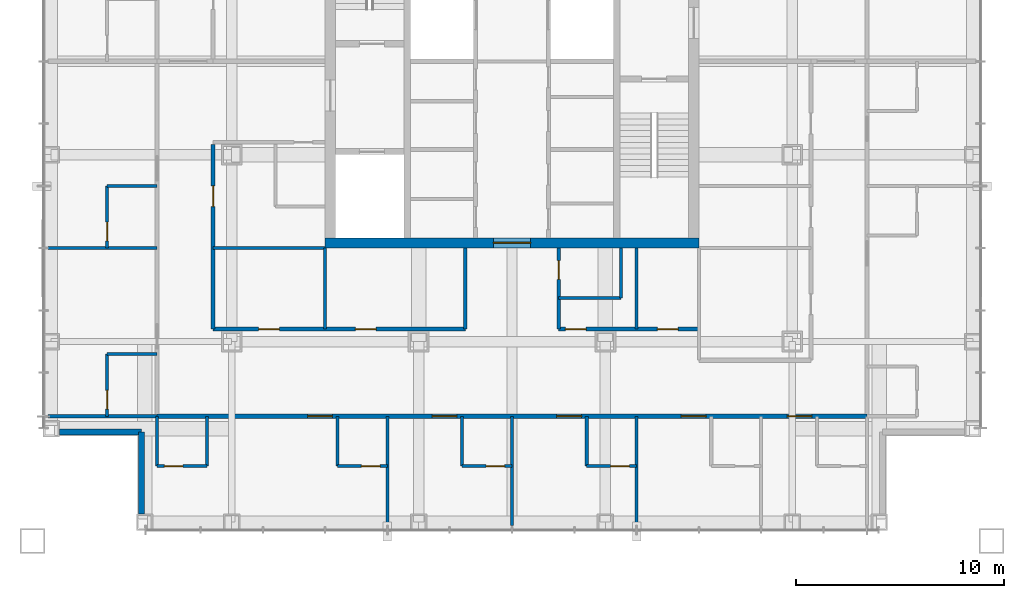
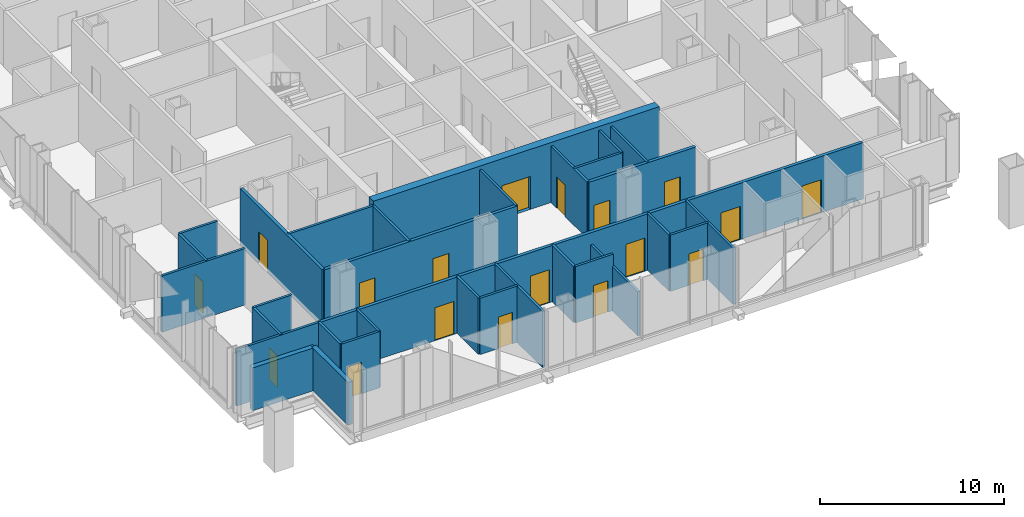
# One storey, part 11 of 16: 32 walls, 18 doors, 18 openings.
"""IFC4 building model written with IfcOpenShell, lengths in metres."""

from ifc_helpers import new_model, si_unit, direction, frame, frame_2d, origin, place, context, subcontext, project, spatial, rectangle, extrude, material, layer, layer_set, type_object, element, fill, save


model = new_model("IFC4")

# Units and contexts
model_context = context("Model", 3, precision=1e-05, world=origin(), true_north=direction((0.0, 1.0)))
body_context = subcontext(model_context, "Body", "Model", "MODEL_VIEW")
ifc_project = project(units=[si_unit("LENGTHUNIT", "METRE"), si_unit("AREAUNIT", "SQUARE_METRE"), si_unit("VOLUMEUNIT", "CUBIC_METRE"), si_unit("PLANEANGLEUNIT", "RADIAN"), si_unit("MASSUNIT", "GRAM", prefix="KILO")], contexts=[model_context])

# Site, building, storey
site_placement = place(None, origin())
site = spatial("IfcSite", under=ifc_project, at=site_placement, CompositionType="ELEMENT")
building_placement = place(site_placement, origin())
building = spatial("IfcBuilding", under=site, at=building_placement, Name="Malebo Sky Hospital", CompositionType="ELEMENT")
storey_placement = place(building_placement, frame((0.0, 0.0, 197.0)))
storey = spatial("IfcBuildingStorey", under=building, at=storey_placement, Name="L47", CompositionType="ELEMENT", Elevation=197.0)

# Wall, opening, door
ifc_material_1 = material(Name="Concrete C80/95", Category="concrete")
ifc_layer_1 = layer(ifc_material_1, 0.5)
ifc_layer_set_1 = layer_set([ifc_layer_1], Name="CORE WALL 500")
wall_type_1 = type_object("IfcWallType", Name="CORE WALL 500", PredefinedType="SHEAR", material=ifc_layer_set_1)
wall_1_placement = place(storey_placement, frame((51.0, 53.25, 0.0), z_axis=(0.0, 0.0, 1.0), x_axis=(1.0, 0.0, 0.0)))
wall_1 = element("IfcWall", 1, at=wall_1_placement, inside=storey, type_object=wall_type_1, Name="Core wall S L47", PredefinedType="SHEAR", context=body_context, shape_type="SweptSolid", body=[
    extrude(rectangle(XDim=18.0, YDim=0.5, at=frame_2d((9.0, 0.0))), origin(), (0.0, 0.0, 1.0), 4.0),
])
opening_1_placement = place(wall_1_placement, frame((8.10009765625, 0.0, 0.0)))
opening_1 = element("IfcOpeningElement", 2, at=opening_1_placement, cuts=wall_1, Name="Opening D06", PredefinedType="OPENING", context=body_context, shape_type="SweptSolid", body=[
    extrude(rectangle(XDim=1.800048828125, YDim=2.199951171875, at=frame_2d((0.89990234375, 1.10009765625))), frame((0.0, 0.260009765625, 0.0), z_axis=(0.0, -1.0, 0.0), x_axis=(1.0, 0.0, 0.0)), (0.0, 0.0, 1.0), 0.52001953125),
])
ifc_material_2 = material(Name="Hardwood-faced door leaf in steel frame", Category="steel")
door_type_1 = type_object("IfcDoorType", Name="LOBBY DOOR PAIR 1800", OperationType="DOUBLE_DOOR_SINGLE_SWING", PredefinedType="DOOR", material=ifc_material_2)
door_1_placement = place(opening_1_placement, origin())
door_1 = element("IfcDoor", 3, at=door_1_placement, inside=storey, type_object=door_type_1, Name="Service lobby door south", OperationType="DOUBLE_DOOR_SINGLE_SWING", OverallHeight=2.199951171875, OverallWidth=1.800048828125, PredefinedType="DOOR", context=body_context, shape_type="SweptSolid", body=[
    extrude(rectangle(XDim=1.800048828125, YDim=2.199951171875, at=frame_2d((0.89990234375, 1.10009765625))), frame((0.0, 0.02490234375, 0.0), z_axis=(0.0, -1.0, 0.0), x_axis=(1.0, 0.0, 0.0)), (0.0, 0.0, 1.0), 0.050048828125),
])
fill(opening_1, door_1)

ifc_material_3 = material(Name="Gypsum board on steel studs", Category="steel")
ifc_layer_2 = layer(ifc_material_3, 0.199951171875)
ifc_layer_set_2 = layer_set([ifc_layer_2], Name="CORRIDOR WALL 200")
wall_type_2 = type_object("IfcWallType", Name="CORRIDOR WALL 200", PredefinedType="PARTITIONING", material=ifc_layer_set_2)
wall_2_placement = place(storey_placement, frame((45.60009765625, 49.10009765625, 0.0), z_axis=(0.0, 0.0, 1.0), x_axis=(0.0, 1.0, 0.0)))
wall_2 = element("IfcWall", 4, at=wall_2_placement, inside=storey, type_object=wall_type_2, Name="Corridor Wall 200 WCI1", PredefinedType="PARTITIONING", context=body_context, shape_type="SweptSolid", body=[
    extrude(rectangle(XDim=8.89990234375, YDim=0.199951171875, at=frame_2d((4.449951171875, 0.0))), origin(), (0.0, 0.0, 1.0), 3.75),
])
opening_2_placement = place(wall_2_placement, frame((5.89990234375, 0.0, 0.0)))
opening_2 = element("IfcOpeningElement", 5, at=opening_2_placement, cuts=wall_2, Name="Opening D03", PredefinedType="OPENING", context=body_context, shape_type="SweptSolid", body=[
    extrude(rectangle(XDim=1.0, YDim=2.10009765625, at=frame_2d((0.5, 1.050048828125))), frame((0.0, 0.10986328125, 0.0), z_axis=(0.0, -1.0, 0.0), x_axis=(1.0, 0.0, 0.0)), (0.0, 0.0, 1.0), 0.219970703125),
])
door_type_2 = type_object("IfcDoorType", Name="ROOM DOOR 1000", OperationType="SINGLE_SWING_LEFT", PredefinedType="DOOR", material=ifc_material_2)
door_2_placement = place(opening_2_placement, origin())
door_2 = element("IfcDoor", 6, at=door_2_placement, inside=storey, type_object=door_type_2, Name="Dirty utility room door", OperationType="SINGLE_SWING_LEFT", OverallHeight=2.10009765625, OverallWidth=1.0, PredefinedType="DOOR", context=body_context, shape_type="SweptSolid", body=[
    extrude(rectangle(XDim=1.0, YDim=2.10009765625, at=frame_2d((0.5, 1.050048828125))), frame((0.0, 0.02490234375, 0.0), z_axis=(0.0, -1.0, 0.0), x_axis=(1.0, 0.0, 0.0)), (0.0, 0.0, 1.0), 0.050048828125),
])
fill(opening_2, door_2)

# Wall, openings, doors
wall_3_placement = place(storey_placement, frame((77.10009765625, 44.89990234375, 0.0), z_axis=(0.0, 0.0, 1.0), x_axis=(-1.0, 0.0, 0.0)))
wall_3 = element("IfcWall", 7, at=wall_3_placement, inside=storey, type_object=wall_type_2, Name="Corridor Wall 200 SCO", PredefinedType="PARTITIONING", context=body_context, shape_type="SweptSolid", body=[
    extrude(rectangle(XDim=34.2001953125, YDim=0.199951171875, at=frame_2d((17.10009765625, 0.0))), origin(), (0.0, 0.0, 1.0), 3.75),
])
opening_3_placement = place(wall_3_placement, frame((2.64990234375, 0.0, 0.0)))
opening_3 = element("IfcOpeningElement", 8, at=opening_3_placement, cuts=wall_3, Name="Opening D01", PredefinedType="OPENING", context=body_context, shape_type="SweptSolid", body=[
    extrude(rectangle(XDim=1.199951171875, YDim=2.199951171875, at=frame_2d((0.60009765625, 1.10009765625))), frame((0.0, 0.10986328125, 0.0), z_axis=(0.0, -1.0, 0.0), x_axis=(1.0, 0.0, 0.0)), (0.0, 0.0, 1.0), 0.219970703125),
])
opening_4_placement = place(wall_3_placement, frame((7.75, 0.0, 0.0)))
opening_4 = element("IfcOpeningElement", 9, at=opening_4_placement, cuts=wall_3, Name="Opening D01", PredefinedType="OPENING", context=body_context, shape_type="SweptSolid", body=[
    extrude(rectangle(XDim=1.199951171875, YDim=2.199951171875, at=frame_2d((0.60009765625, 1.10009765625))), frame((0.0, 0.10986328125, 0.0), z_axis=(0.0, -1.0, 0.0), x_axis=(1.0, 0.0, 0.0)), (0.0, 0.0, 1.0), 0.219970703125),
])
opening_5_placement = place(wall_3_placement, frame((13.75, 0.0, 0.0)))
opening_5 = element("IfcOpeningElement", 10, at=opening_5_placement, cuts=wall_3, Name="Opening D01", PredefinedType="OPENING", context=body_context, shape_type="SweptSolid", body=[
    extrude(rectangle(XDim=1.199951171875, YDim=2.199951171875, at=frame_2d((0.60009765625, 1.10009765625))), frame((0.0, 0.10986328125, 0.0), z_axis=(0.0, -1.0, 0.0), x_axis=(1.0, 0.0, 0.0)), (0.0, 0.0, 1.0), 0.219970703125),
])
opening_6_placement = place(wall_3_placement, frame((19.75, 0.0, 0.0)))
opening_6 = element("IfcOpeningElement", 11, at=opening_6_placement, cuts=wall_3, Name="Opening D01", PredefinedType="OPENING", context=body_context, shape_type="SweptSolid", body=[
    extrude(rectangle(XDim=1.199951171875, YDim=2.199951171875, at=frame_2d((0.60009765625, 1.10009765625))), frame((0.0, 0.10986328125, 0.0), z_axis=(0.0, -1.0, 0.0), x_axis=(1.0, 0.0, 0.0)), (0.0, 0.0, 1.0), 0.219970703125),
])
opening_7_placement = place(wall_3_placement, frame((25.75, 0.0, 0.0)))
opening_7 = element("IfcOpeningElement", 12, at=opening_7_placement, cuts=wall_3, Name="Opening D01", PredefinedType="OPENING", context=body_context, shape_type="SweptSolid", body=[
    extrude(rectangle(XDim=1.199951171875, YDim=2.199951171875, at=frame_2d((0.60009765625, 1.10009765625))), frame((0.0, 0.10986328125, 0.0), z_axis=(0.0, -1.0, 0.0), x_axis=(1.0, 0.0, 0.0)), (0.0, 0.0, 1.0), 0.219970703125),
])
door_type_3 = type_object("IfcDoorType", Name="BED DOOR 1200", OperationType="SINGLE_SWING_LEFT", PredefinedType="DOOR", material=ifc_material_2)
door_3_placement = place(opening_3_placement, origin())
door_3 = element("IfcDoor", 13, at=door_3_placement, inside=storey, type_object=door_type_3, Name="Single bed room door", OperationType="SINGLE_SWING_LEFT", OverallHeight=2.199951171875, OverallWidth=1.199951171875, PredefinedType="DOOR", context=body_context, shape_type="SweptSolid", body=[
    extrude(rectangle(XDim=1.199951171875, YDim=2.199951171875, at=frame_2d((0.60009765625, 1.10009765625))), frame((0.0, 0.02490234375, 0.0), z_axis=(0.0, -1.0, 0.0), x_axis=(1.0, 0.0, 0.0)), (0.0, 0.0, 1.0), 0.050048828125),
])
fill(opening_3, door_3)
door_4_placement = place(opening_4_placement, origin())
door_4 = element("IfcDoor", 14, at=door_4_placement, inside=storey, type_object=door_type_3, Name="Single bed room door", OperationType="SINGLE_SWING_LEFT", OverallHeight=2.199951171875, OverallWidth=1.199951171875, PredefinedType="DOOR", context=body_context, shape_type="SweptSolid", body=[
    extrude(rectangle(XDim=1.199951171875, YDim=2.199951171875, at=frame_2d((0.60009765625, 1.10009765625))), frame((0.0, 0.02490234375, 0.0), z_axis=(0.0, -1.0, 0.0), x_axis=(1.0, 0.0, 0.0)), (0.0, 0.0, 1.0), 0.050048828125),
])
fill(opening_4, door_4)
door_5_placement = place(opening_5_placement, origin())
door_5 = element("IfcDoor", 15, at=door_5_placement, inside=storey, type_object=door_type_3, Name="Single bed room door", OperationType="SINGLE_SWING_LEFT", OverallHeight=2.199951171875, OverallWidth=1.199951171875, PredefinedType="DOOR", context=body_context, shape_type="SweptSolid", body=[
    extrude(rectangle(XDim=1.199951171875, YDim=2.199951171875, at=frame_2d((0.60009765625, 1.10009765625))), frame((0.0, 0.02490234375, 0.0), z_axis=(0.0, -1.0, 0.0), x_axis=(1.0, 0.0, 0.0)), (0.0, 0.0, 1.0), 0.050048828125),
])
fill(opening_5, door_5)
door_6_placement = place(opening_6_placement, origin())
door_6 = element("IfcDoor", 16, at=door_6_placement, inside=storey, type_object=door_type_3, Name="Single bed room door", OperationType="SINGLE_SWING_LEFT", OverallHeight=2.199951171875, OverallWidth=1.199951171875, PredefinedType="DOOR", context=body_context, shape_type="SweptSolid", body=[
    extrude(rectangle(XDim=1.199951171875, YDim=2.199951171875, at=frame_2d((0.60009765625, 1.10009765625))), frame((0.0, 0.02490234375, 0.0), z_axis=(0.0, -1.0, 0.0), x_axis=(1.0, 0.0, 0.0)), (0.0, 0.0, 1.0), 0.050048828125),
])
fill(opening_6, door_6)
door_7_placement = place(opening_7_placement, origin())
door_7 = element("IfcDoor", 17, at=door_7_placement, inside=storey, type_object=door_type_3, Name="Four-bed bay door", OperationType="SINGLE_SWING_LEFT", OverallHeight=2.199951171875, OverallWidth=1.199951171875, PredefinedType="DOOR", context=body_context, shape_type="SweptSolid", body=[
    extrude(rectangle(XDim=1.199951171875, YDim=2.199951171875, at=frame_2d((0.60009765625, 1.10009765625))), frame((0.0, 0.02490234375, 0.0), z_axis=(0.0, -1.0, 0.0), x_axis=(1.0, 0.0, 0.0)), (0.0, 0.0, 1.0), 0.050048828125),
])
fill(opening_7, door_7)

wall_4_placement = place(storey_placement, frame((69.0, 49.10009765625, 0.0), z_axis=(0.0, 0.0, 1.0), x_axis=(-1.0, 0.0, 0.0)))
wall_4 = element("IfcWall", 18, at=wall_4_placement, inside=storey, type_object=wall_type_2, Name="Corridor Wall 200 SCI1", PredefinedType="PARTITIONING", context=body_context, shape_type="SweptSolid", body=[
    extrude(rectangle(XDim=6.75, YDim=0.199951171875, at=frame_2d((3.375, 0.0))), origin(), (0.0, 0.0, 1.0), 3.75),
])
opening_8_placement = place(wall_4_placement, frame((1.0, 0.0, 0.0)))
opening_8 = element("IfcOpeningElement", 19, at=opening_8_placement, cuts=wall_4, Name="Opening D03", PredefinedType="OPENING", context=body_context, shape_type="SweptSolid", body=[
    extrude(rectangle(XDim=1.0, YDim=2.10009765625, at=frame_2d((0.5, 1.050048828125))), frame((0.0, 0.10986328125, 0.0), z_axis=(0.0, -1.0, 0.0), x_axis=(1.0, 0.0, 0.0)), (0.0, 0.0, 1.0), 0.219970703125),
])
opening_9_placement = place(wall_4_placement, frame((5.425048828125, 0.0, 0.0)))
opening_9 = element("IfcOpeningElement", 20, at=opening_9_placement, cuts=wall_4, Name="Opening D03", PredefinedType="OPENING", context=body_context, shape_type="SweptSolid", body=[
    extrude(rectangle(XDim=1.0, YDim=2.10009765625, at=frame_2d((0.5, 1.050048828125))), frame((0.0, 0.10986328125, 0.0), z_axis=(0.0, -1.0, 0.0), x_axis=(1.0, 0.0, 0.0)), (0.0, 0.0, 1.0), 0.219970703125),
])
door_8_placement = place(opening_8_placement, origin())
door_8 = element("IfcDoor", 21, at=door_8_placement, inside=storey, type_object=door_type_2, Name="Equipment store door", OperationType="SINGLE_SWING_LEFT", OverallHeight=2.10009765625, OverallWidth=1.0, PredefinedType="DOOR", context=body_context, shape_type="SweptSolid", body=[
    extrude(rectangle(XDim=1.0, YDim=2.10009765625, at=frame_2d((0.5, 1.050048828125))), frame((0.0, 0.02490234375, 0.0), z_axis=(0.0, -1.0, 0.0), x_axis=(1.0, 0.0, 0.0)), (0.0, 0.0, 1.0), 0.050048828125),
])
fill(opening_8, door_8)
door_9_placement = place(opening_9_placement, origin())
door_9 = element("IfcDoor", 22, at=door_9_placement, inside=storey, type_object=door_type_2, Name="Linen store door", OperationType="SINGLE_SWING_RIGHT", OverallHeight=2.10009765625, OverallWidth=1.0, PredefinedType="DOOR", context=body_context, shape_type="SweptSolid", body=[
    extrude(rectangle(XDim=1.0, YDim=2.10009765625, at=frame_2d((0.5, 1.050048828125))), frame((0.0, 0.02490234375, 0.0), z_axis=(0.0, -1.0, 0.0), x_axis=(1.0, 0.0, 0.0)), (0.0, 0.0, 1.0), 0.050048828125),
])
fill(opening_9, door_9)

wall_5_placement = place(storey_placement, frame((57.75, 49.10009765625, 0.0), z_axis=(0.0, 0.0, 1.0), x_axis=(-1.0, 0.0, 0.0)))
wall_5 = element("IfcWall", 23, at=wall_5_placement, inside=storey, type_object=wall_type_2, Name="Corridor Wall 200 SCI2", PredefinedType="PARTITIONING", context=body_context, shape_type="SweptSolid", body=[
    extrude(rectangle(XDim=12.14990234375, YDim=0.199951171875, at=frame_2d((6.074951171875, 0.0))), origin(), (0.0, 0.0, 1.0), 3.75),
])
opening_10_placement = place(wall_5_placement, frame((4.300048828125, 0.0, 0.0)))
opening_10 = element("IfcOpeningElement", 24, at=opening_10_placement, cuts=wall_5, Name="Opening D03", PredefinedType="OPENING", context=body_context, shape_type="SweptSolid", body=[
    extrude(rectangle(XDim=1.0, YDim=2.10009765625, at=frame_2d((0.5, 1.050048828125))), frame((0.0, 0.10986328125, 0.0), z_axis=(0.0, -1.0, 0.0), x_axis=(1.0, 0.0, 0.0)), (0.0, 0.0, 1.0), 0.219970703125),
])
opening_11_placement = place(wall_5_placement, frame((8.949951171875, 0.0, 0.0)))
opening_11 = element("IfcOpeningElement", 25, at=opening_11_placement, cuts=wall_5, Name="Opening D03", PredefinedType="OPENING", context=body_context, shape_type="SweptSolid", body=[
    extrude(rectangle(XDim=1.0, YDim=2.10009765625, at=frame_2d((0.5, 1.050048828125))), frame((0.0, 0.10986328125, 0.0), z_axis=(0.0, -1.0, 0.0), x_axis=(1.0, 0.0, 0.0)), (0.0, 0.0, 1.0), 0.219970703125),
])
door_10_placement = place(opening_10_placement, origin())
door_10 = element("IfcDoor", 26, at=door_10_placement, inside=storey, type_object=door_type_2, Name="Nurse station door", OperationType="SINGLE_SWING_RIGHT", OverallHeight=2.10009765625, OverallWidth=1.0, PredefinedType="DOOR", context=body_context, shape_type="SweptSolid", body=[
    extrude(rectangle(XDim=1.0, YDim=2.10009765625, at=frame_2d((0.5, 1.050048828125))), frame((0.0, 0.02490234375, 0.0), z_axis=(0.0, -1.0, 0.0), x_axis=(1.0, 0.0, 0.0)), (0.0, 0.0, 1.0), 0.050048828125),
])
fill(opening_10, door_10)
door_11_placement = place(opening_11_placement, origin())
door_11 = element("IfcDoor", 27, at=door_11_placement, inside=storey, type_object=door_type_2, Name="Interview room door", OperationType="SINGLE_SWING_RIGHT", OverallHeight=2.10009765625, OverallWidth=1.0, PredefinedType="DOOR", context=body_context, shape_type="SweptSolid", body=[
    extrude(rectangle(XDim=1.0, YDim=2.10009765625, at=frame_2d((0.5, 1.050048828125))), frame((0.0, 0.02490234375, 0.0), z_axis=(0.0, -1.0, 0.0), x_axis=(1.0, 0.0, 0.0)), (0.0, 0.0, 1.0), 0.050048828125),
])
fill(opening_11, door_11)

# Walls
ifc_material_4 = material(Name="Anodised aluminium rainscreen on steel framing", Category="steel")
ifc_layer_3 = layer(ifc_material_4, 0.300048828125)
ifc_layer_set_3 = layer_set([ifc_layer_3], Name="NOTCH RAINSCREEN WALL 300")
wall_type_3 = type_object("IfcWallType", Name="NOTCH RAINSCREEN WALL 300", PredefinedType="ELEMENTEDWALL", material=ifc_layer_set_3)
for number, where, z_axis, x_axis, name in (
    (28, (42.14990234375, 40.199951171875, 0.0), (0.0, 0.0, 1.0), (0.0, 1.0, 0.0), "Notch rainscreen wall S1 L47"),
    (29, (42.14990234375, 44.14990234375, 0.0), (0.0, 0.0, 1.0), (-1.0, 0.0, 0.0), "Notch rainscreen wall S2 L47"),
):
    element("IfcWall", number, at=place(storey_placement, frame(where, z_axis=z_axis, x_axis=x_axis)), inside=storey, type_object=wall_type_3, Name=name, PredefinedType="ELEMENTEDWALL", context=body_context, shape_type="SweptSolid", body=[
        extrude(rectangle(XDim=3.949951171875, YDim=0.300048828125, at=frame_2d((1.97509765625, 0.0))), origin(), (0.0, 0.0, 1.0), 2.85009765625),
    ])
ifc_layer_4 = layer(ifc_material_3, 0.14990234375)
ifc_layer_set_4 = layer_set([ifc_layer_4], Name="PARTITION 150")
wall_type_4 = type_object("IfcWallType", Name="PARTITION 150", PredefinedType="PARTITIONING", material=ifc_layer_set_4)
for number, where, z_axis, x_axis, name in (
    (30, (42.89990234375, 53.0, 0.0), (0.0, 0.0, 1.0), (-1.0, 0.0, 0.0), "Partition 150 WP-9.0"),
    (31, (42.89990234375, 44.89990234375, 0.0), (0.0, 0.0, 1.0), (-1.0, 0.0, 0.0), "Partition 150 WP0"),
):
    element("IfcWall", number, at=place(storey_placement, frame(where, z_axis=z_axis, x_axis=x_axis)), inside=storey, type_object=wall_type_4, Name=name, PredefinedType="PARTITIONING", context=body_context, shape_type="SweptSolid", body=[
        extrude(rectangle(XDim=5.25, YDim=0.14990234375, at=frame_2d((2.625, 0.0))), origin(), (0.0, 0.0, 1.0), 3.75),
    ])

# Wall, opening, door
wall_6_placement = place(storey_placement, frame((40.5, 44.89990234375, 0.0), z_axis=(0.0, 0.0, 1.0), x_axis=(0.0, 1.0, 0.0)))
wall_6 = element("IfcWall", 32, at=wall_6_placement, inside=storey, type_object=wall_type_4, Name="Partition 150 WE0F", PredefinedType="PARTITIONING", context=body_context, shape_type="SweptSolid", body=[
    extrude(rectangle(XDim=3.0, YDim=0.14990234375, at=frame_2d((1.5, 0.0))), origin(), (0.0, 0.0, 1.0), 3.75),
])
opening_12_placement = place(wall_6_placement, frame((0.35009765625, 0.0, 0.0)))
opening_12 = element("IfcOpeningElement", 33, at=opening_12_placement, cuts=wall_6, Name="Opening D02", PredefinedType="OPENING", context=body_context, shape_type="SweptSolid", body=[
    extrude(rectangle(XDim=0.89990234375, YDim=2.10009765625, at=frame_2d((0.449951171875, 1.050048828125))), frame((0.0, 0.0849609375, 0.0), z_axis=(0.0, -1.0, 0.0), x_axis=(1.0, 0.0, 0.0)), (0.0, 0.0, 1.0), 0.169921875),
])
door_type_4 = type_object("IfcDoorType", Name="EN-SUITE DOOR 900", OperationType="SINGLE_SWING_LEFT", PredefinedType="DOOR", material=ifc_material_2)
door_12_placement = place(opening_12_placement, origin())
door_12 = element("IfcDoor", 34, at=door_12_placement, inside=storey, type_object=door_type_4, Name="En-suite door", OperationType="SINGLE_SWING_LEFT", OverallHeight=2.10009765625, OverallWidth=0.89990234375, PredefinedType="DOOR", context=body_context, shape_type="SweptSolid", body=[
    extrude(rectangle(XDim=0.89990234375, YDim=2.10009765625, at=frame_2d((0.449951171875, 1.050048828125))), frame((0.0, 0.02490234375, 0.0), z_axis=(0.0, -1.0, 0.0), x_axis=(1.0, 0.0, 0.0)), (0.0, 0.0, 1.0), 0.050048828125),
])
fill(opening_12, door_12)

# Wall
wall_7_placement = place(storey_placement, frame((42.89990234375, 47.89990234375, 0.0), z_axis=(0.0, 0.0, 1.0), x_axis=(-1.0, 0.0, 0.0)))
element("IfcWall", 35, at=wall_7_placement, inside=storey, type_object=wall_type_4, Name="Partition 150 WE0S", PredefinedType="PARTITIONING", context=body_context, shape_type="SweptSolid", body=[
    extrude(rectangle(XDim=2.39990234375, YDim=0.14990234375, at=frame_2d((1.199951171875, 0.0))), origin(), (0.0, 0.0, 1.0), 3.75),
])

# Wall, opening, door
wall_8_placement = place(storey_placement, frame((40.5, 53.0, 0.0), z_axis=(0.0, 0.0, 1.0), x_axis=(0.0, 1.0, 0.0)))
wall_8 = element("IfcWall", 36, at=wall_8_placement, inside=storey, type_object=wall_type_4, Name="Partition 150 WE1F", PredefinedType="PARTITIONING", context=body_context, shape_type="SweptSolid", body=[
    extrude(rectangle(XDim=3.0, YDim=0.14990234375, at=frame_2d((1.5, 0.0))), origin(), (0.0, 0.0, 1.0), 3.75),
])
opening_13_placement = place(wall_8_placement, frame((0.35009765625, 0.0, 0.0)))
opening_13 = element("IfcOpeningElement", 37, at=opening_13_placement, cuts=wall_8, Name="Opening D02", PredefinedType="OPENING", context=body_context, shape_type="SweptSolid", body=[
    extrude(rectangle(XDim=0.89990234375, YDim=2.10009765625, at=frame_2d((0.449951171875, 1.050048828125))), frame((0.0, 0.0849609375, 0.0), z_axis=(0.0, -1.0, 0.0), x_axis=(1.0, 0.0, 0.0)), (0.0, 0.0, 1.0), 0.169921875),
])
door_13_placement = place(opening_13_placement, origin())
door_13 = element("IfcDoor", 38, at=door_13_placement, inside=storey, type_object=door_type_4, Name="En-suite door", OperationType="SINGLE_SWING_LEFT", OverallHeight=2.10009765625, OverallWidth=0.89990234375, PredefinedType="DOOR", context=body_context, shape_type="SweptSolid", body=[
    extrude(rectangle(XDim=0.89990234375, YDim=2.10009765625, at=frame_2d((0.449951171875, 1.050048828125))), frame((0.0, 0.02490234375, 0.0), z_axis=(0.0, -1.0, 0.0), x_axis=(1.0, 0.0, 0.0)), (0.0, 0.0, 1.0), 0.050048828125),
])
fill(opening_13, door_13)

# Walls
wall_9_placement = place(storey_placement, frame((42.89990234375, 56.0, 0.0), z_axis=(0.0, 0.0, 1.0), x_axis=(-1.0, 0.0, 0.0)))
element("IfcWall", 39, at=wall_9_placement, inside=storey, type_object=wall_type_4, Name="Partition 150 WE1S", PredefinedType="PARTITIONING", context=body_context, shape_type="SweptSolid", body=[
    extrude(rectangle(XDim=2.39990234375, YDim=0.14990234375, at=frame_2d((1.199951171875, 0.0))), origin(), (0.0, 0.0, 1.0), 3.75),
])
wall_10_placement = place(storey_placement, frame((51.0, 53.0, 0.0), z_axis=(0.0, 0.0, 1.0), x_axis=(-1.0, 0.0, 0.0)))
element("IfcWall", 40, at=wall_10_placement, inside=storey, type_object=wall_type_4, Name="Partition 150 WSP0", PredefinedType="PARTITIONING", context=body_context, shape_type="SweptSolid", body=[
    extrude(rectangle(XDim=5.39990234375, YDim=0.14990234375, at=frame_2d((2.699951171875, 0.0))), origin(), (0.0, 0.0, 1.0), 3.75),
])
wall_11_placement = place(storey_placement, frame((66.0, 44.89990234375, 0.0), z_axis=(0.0, 0.0, 1.0), x_axis=(0.0, -1.0, 0.0)))
element("IfcWall", 41, at=wall_11_placement, inside=storey, type_object=wall_type_4, Name="Partition 150 SP-6.0", PredefinedType="PARTITIONING", context=body_context, shape_type="SweptSolid", body=[
    extrude(rectangle(XDim=5.25, YDim=0.14990234375, at=frame_2d((2.625, 0.0))), origin(), (0.0, 0.0, 1.0), 3.75),
])
wall_12_placement = place(storey_placement, frame((60.0, 44.89990234375, 0.0), z_axis=(0.0, 0.0, 1.0), x_axis=(0.0, -1.0, 0.0)))
element("IfcWall", 42, at=wall_12_placement, inside=storey, type_object=wall_type_4, Name="Partition 150 SP+0.0", PredefinedType="PARTITIONING", context=body_context, shape_type="SweptSolid", body=[
    extrude(rectangle(XDim=5.25, YDim=0.14990234375, at=frame_2d((2.625, 0.0))), origin(), (0.0, 0.0, 1.0), 2.949951171875),
])
wall_13_placement = place(storey_placement, frame((54.0, 44.89990234375, 0.0), z_axis=(0.0, 0.0, 1.0), x_axis=(0.0, -1.0, 0.0)))
element("IfcWall", 43, at=wall_13_placement, inside=storey, type_object=wall_type_4, Name="Partition 150 SP+6.0", PredefinedType="PARTITIONING", context=body_context, shape_type="SweptSolid", body=[
    extrude(rectangle(XDim=5.25, YDim=0.14990234375, at=frame_2d((2.625, 0.0))), origin(), (0.0, 0.0, 1.0), 3.75),
])

# Wall, opening, door
wall_14_placement = place(storey_placement, frame((66.0, 42.5, 0.0), z_axis=(0.0, 0.0, 1.0), x_axis=(-1.0, 0.0, 0.0)))
wall_14 = element("IfcWall", 44, at=wall_14_placement, inside=storey, type_object=wall_type_4, Name="Partition 150 SE2F", PredefinedType="PARTITIONING", context=body_context, shape_type="SweptSolid", body=[
    extrude(rectangle(XDim=2.39990234375, YDim=0.14990234375, at=frame_2d((1.199951171875, 0.0))), origin(), (0.0, 0.0, 1.0), 3.75),
])
opening_14_placement = place(wall_14_placement, frame((0.35009765625, 0.0, 0.0)))
opening_14 = element("IfcOpeningElement", 45, at=opening_14_placement, cuts=wall_14, Name="Opening D02", PredefinedType="OPENING", context=body_context, shape_type="SweptSolid", body=[
    extrude(rectangle(XDim=0.89990234375, YDim=2.10009765625, at=frame_2d((0.449951171875, 1.050048828125))), frame((0.0, 0.0849609375, 0.0), z_axis=(0.0, -1.0, 0.0), x_axis=(1.0, 0.0, 0.0)), (0.0, 0.0, 1.0), 0.169921875),
])
door_14_placement = place(opening_14_placement, origin())
door_14 = element("IfcDoor", 46, at=door_14_placement, inside=storey, type_object=door_type_4, Name="En-suite door", OperationType="SINGLE_SWING_LEFT", OverallHeight=2.10009765625, OverallWidth=0.89990234375, PredefinedType="DOOR", context=body_context, shape_type="SweptSolid", body=[
    extrude(rectangle(XDim=0.89990234375, YDim=2.10009765625, at=frame_2d((0.449951171875, 1.050048828125))), frame((0.0, 0.02490234375, 0.0), z_axis=(0.0, -1.0, 0.0), x_axis=(1.0, 0.0, 0.0)), (0.0, 0.0, 1.0), 0.050048828125),
])
fill(opening_14, door_14)

# Wall
wall_15_placement = place(storey_placement, frame((63.60009765625, 44.89990234375, 0.0), z_axis=(0.0, 0.0, 1.0), x_axis=(0.0, -1.0, 0.0)))
element("IfcWall", 47, at=wall_15_placement, inside=storey, type_object=wall_type_4, Name="Partition 150 SE2S", PredefinedType="PARTITIONING", context=body_context, shape_type="SweptSolid", body=[
    extrude(rectangle(XDim=2.39990234375, YDim=0.14990234375, at=frame_2d((1.199951171875, 0.0))), origin(), (0.0, 0.0, 1.0), 3.75),
])

# Wall, opening, door
wall_16_placement = place(storey_placement, frame((60.0, 42.5, 0.0), z_axis=(0.0, 0.0, 1.0), x_axis=(-1.0, 0.0, 0.0)))
wall_16 = element("IfcWall", 48, at=wall_16_placement, inside=storey, type_object=wall_type_4, Name="Partition 150 SE3F", PredefinedType="PARTITIONING", context=body_context, shape_type="SweptSolid", body=[
    extrude(rectangle(XDim=2.39990234375, YDim=0.14990234375, at=frame_2d((1.199951171875, 0.0))), origin(), (0.0, 0.0, 1.0), 3.75),
])
opening_15_placement = place(wall_16_placement, frame((0.35009765625, 0.0, 0.0)))
opening_15 = element("IfcOpeningElement", 49, at=opening_15_placement, cuts=wall_16, Name="Opening D02", PredefinedType="OPENING", context=body_context, shape_type="SweptSolid", body=[
    extrude(rectangle(XDim=0.89990234375, YDim=2.10009765625, at=frame_2d((0.449951171875, 1.050048828125))), frame((0.0, 0.0849609375, 0.0), z_axis=(0.0, -1.0, 0.0), x_axis=(1.0, 0.0, 0.0)), (0.0, 0.0, 1.0), 0.169921875),
])
door_15_placement = place(opening_15_placement, origin())
door_15 = element("IfcDoor", 50, at=door_15_placement, inside=storey, type_object=door_type_4, Name="En-suite door", OperationType="SINGLE_SWING_LEFT", OverallHeight=2.10009765625, OverallWidth=0.89990234375, PredefinedType="DOOR", context=body_context, shape_type="SweptSolid", body=[
    extrude(rectangle(XDim=0.89990234375, YDim=2.10009765625, at=frame_2d((0.449951171875, 1.050048828125))), frame((0.0, 0.02490234375, 0.0), z_axis=(0.0, -1.0, 0.0), x_axis=(1.0, 0.0, 0.0)), (0.0, 0.0, 1.0), 0.050048828125),
])
fill(opening_15, door_15)

# Wall
wall_17_placement = place(storey_placement, frame((57.60009765625, 44.89990234375, 0.0), z_axis=(0.0, 0.0, 1.0), x_axis=(0.0, -1.0, 0.0)))
element("IfcWall", 51, at=wall_17_placement, inside=storey, type_object=wall_type_4, Name="Partition 150 SE3S", PredefinedType="PARTITIONING", context=body_context, shape_type="SweptSolid", body=[
    extrude(rectangle(XDim=2.39990234375, YDim=0.14990234375, at=frame_2d((1.199951171875, 0.0))), origin(), (0.0, 0.0, 1.0), 3.75),
])

# Wall, opening, door
wall_18_placement = place(storey_placement, frame((54.0, 42.5, 0.0), z_axis=(0.0, 0.0, 1.0), x_axis=(-1.0, 0.0, 0.0)))
wall_18 = element("IfcWall", 52, at=wall_18_placement, inside=storey, type_object=wall_type_4, Name="Partition 150 SE4F", PredefinedType="PARTITIONING", context=body_context, shape_type="SweptSolid", body=[
    extrude(rectangle(XDim=2.39990234375, YDim=0.14990234375, at=frame_2d((1.199951171875, 0.0))), origin(), (0.0, 0.0, 1.0), 3.75),
])
opening_16_placement = place(wall_18_placement, frame((0.35009765625, 0.0, 0.0)))
opening_16 = element("IfcOpeningElement", 53, at=opening_16_placement, cuts=wall_18, Name="Opening D02", PredefinedType="OPENING", context=body_context, shape_type="SweptSolid", body=[
    extrude(rectangle(XDim=0.89990234375, YDim=2.10009765625, at=frame_2d((0.449951171875, 1.050048828125))), frame((0.0, 0.0849609375, 0.0), z_axis=(0.0, -1.0, 0.0), x_axis=(1.0, 0.0, 0.0)), (0.0, 0.0, 1.0), 0.169921875),
])
door_16_placement = place(opening_16_placement, origin())
door_16 = element("IfcDoor", 54, at=door_16_placement, inside=storey, type_object=door_type_4, Name="En-suite door", OperationType="SINGLE_SWING_LEFT", OverallHeight=2.10009765625, OverallWidth=0.89990234375, PredefinedType="DOOR", context=body_context, shape_type="SweptSolid", body=[
    extrude(rectangle(XDim=0.89990234375, YDim=2.10009765625, at=frame_2d((0.449951171875, 1.050048828125))), frame((0.0, 0.02490234375, 0.0), z_axis=(0.0, -1.0, 0.0), x_axis=(1.0, 0.0, 0.0)), (0.0, 0.0, 1.0), 0.050048828125),
])
fill(opening_16, door_16)

# Wall
wall_19_placement = place(storey_placement, frame((51.60009765625, 44.89990234375, 0.0), z_axis=(0.0, 0.0, 1.0), x_axis=(0.0, -1.0, 0.0)))
element("IfcWall", 55, at=wall_19_placement, inside=storey, type_object=wall_type_4, Name="Partition 150 SE4S", PredefinedType="PARTITIONING", context=body_context, shape_type="SweptSolid", body=[
    extrude(rectangle(XDim=2.39990234375, YDim=0.14990234375, at=frame_2d((1.199951171875, 0.0))), origin(), (0.0, 0.0, 1.0), 3.75),
])

# Wall, opening, door
wall_20_placement = place(storey_placement, frame((45.300048828125, 42.5, 0.0), z_axis=(0.0, 0.0, 1.0), x_axis=(-1.0, 0.0, 0.0)))
wall_20 = element("IfcWall", 56, at=wall_20_placement, inside=storey, type_object=wall_type_4, Name="Partition 150 SG4F", PredefinedType="PARTITIONING", context=body_context, shape_type="SweptSolid", body=[
    extrude(rectangle(XDim=2.400146484375, YDim=0.14990234375, at=frame_2d((1.2001953125, 0.0))), origin(), (0.0, 0.0, 1.0), 3.75),
])
opening_17_placement = place(wall_20_placement, frame((1.14990234375, 0.0, 0.0)))
opening_17 = element("IfcOpeningElement", 57, at=opening_17_placement, cuts=wall_20, Name="Opening D02", PredefinedType="OPENING", context=body_context, shape_type="SweptSolid", body=[
    extrude(rectangle(XDim=0.89990234375, YDim=2.10009765625, at=frame_2d((0.449951171875, 1.050048828125))), frame((0.0, 0.0849609375, 0.0), z_axis=(0.0, -1.0, 0.0), x_axis=(1.0, 0.0, 0.0)), (0.0, 0.0, 1.0), 0.169921875),
])
door_17_placement = place(opening_17_placement, origin())
door_17 = element("IfcDoor", 58, at=door_17_placement, inside=storey, type_object=door_type_4, Name="En-suite door", OperationType="SINGLE_SWING_RIGHT", OverallHeight=2.10009765625, OverallWidth=0.89990234375, PredefinedType="DOOR", context=body_context, shape_type="SweptSolid", body=[
    extrude(rectangle(XDim=0.89990234375, YDim=2.10009765625, at=frame_2d((0.449951171875, 1.050048828125))), frame((0.0, 0.02490234375, 0.0), z_axis=(0.0, -1.0, 0.0), x_axis=(1.0, 0.0, 0.0)), (0.0, 0.0, 1.0), 0.050048828125),
])
fill(opening_17, door_17)

# Walls
for number, where, z_axis, x_axis, name in (
    (59, (45.300048828125, 44.89990234375, 0.0), (0.0, 0.0, 1.0), (0.0, -1.0, 0.0), "Partition 150 SG4S"),
    (60, (42.89990234375, 44.89990234375, 0.0), (0.0, 0.0, 1.0), (0.0, -1.0, 0.0), "Partition 150 SEZ"),
):
    element("IfcWall", number, at=place(storey_placement, frame(where, z_axis=z_axis, x_axis=x_axis)), inside=storey, type_object=wall_type_4, Name=name, PredefinedType="PARTITIONING", context=body_context, shape_type="SweptSolid", body=[
        extrude(rectangle(XDim=2.39990234375, YDim=0.14990234375, at=frame_2d((1.199951171875, 0.0))), origin(), (0.0, 0.0, 1.0), 3.75),
    ])

# Wall, opening, door
wall_21_placement = place(storey_placement, frame((62.25, 53.0, 0.0), z_axis=(0.0, 0.0, 1.0), x_axis=(0.0, -1.0, 0.0)))
wall_21 = element("IfcWall", 61, at=wall_21_placement, inside=storey, type_object=wall_type_4, Name="Partition 150 SSPA", PredefinedType="PARTITIONING", context=body_context, shape_type="SweptSolid", body=[
    extrude(rectangle(XDim=3.89990234375, YDim=0.14990234375, at=frame_2d((1.949951171875, 0.0))), origin(), (0.0, 0.0, 1.0), 3.75),
])
opening_18_placement = place(wall_21_placement, frame((0.60009765625, 0.0, 0.0)))
opening_18 = element("IfcOpeningElement", 62, at=opening_18_placement, cuts=wall_21, Name="Opening D04", PredefinedType="OPENING", context=body_context, shape_type="SweptSolid", body=[
    extrude(rectangle(XDim=0.89990234375, YDim=2.10009765625, at=frame_2d((0.449951171875, 1.050048828125))), frame((0.0, 0.0849609375, 0.0), z_axis=(0.0, -1.0, 0.0), x_axis=(1.0, 0.0, 0.0)), (0.0, 0.0, 1.0), 0.169921875),
])
door_type_5 = type_object("IfcDoorType", Name="ROOM DOOR 900", OperationType="SINGLE_SWING_LEFT", PredefinedType="DOOR", material=ifc_material_2)
door_18_placement = place(opening_18_placement, origin())
door_18 = element("IfcDoor", 63, at=door_18_placement, inside=storey, type_object=door_type_5, Name="Visitor WC door", OperationType="SINGLE_SWING_LEFT", OverallHeight=2.10009765625, OverallWidth=0.89990234375, PredefinedType="DOOR", context=body_context, shape_type="SweptSolid", body=[
    extrude(rectangle(XDim=0.89990234375, YDim=2.10009765625, at=frame_2d((0.449951171875, 1.050048828125))), frame((0.0, 0.02490234375, 0.0), z_axis=(0.0, -1.0, 0.0), x_axis=(1.0, 0.0, 0.0)), (0.0, 0.0, 1.0), 0.050048828125),
])
fill(opening_18, door_18)

# Walls
for number, where, z_axis, x_axis, name in (
    (64, (57.75, 53.0, 0.0), (0.0, 0.0, 1.0), (0.0, -1.0, 0.0), "Partition 150 SSPB"),
    (65, (66.0, 53.0, 0.0), (0.0, 0.0, 1.0), (0.0, -1.0, 0.0), "Partition 150 SSP-6.0"),
    (66, (51.0, 53.0, 0.0), (0.0, 0.0, 1.0), (0.0, -1.0, 0.0), "Partition 150 SSP+9.0"),
):
    element("IfcWall", number, at=place(storey_placement, frame(where, z_axis=z_axis, x_axis=x_axis)), inside=storey, type_object=wall_type_4, Name=name, PredefinedType="PARTITIONING", context=body_context, shape_type="SweptSolid", body=[
        extrude(rectangle(XDim=3.89990234375, YDim=0.14990234375, at=frame_2d((1.949951171875, 0.0))), origin(), (0.0, 0.0, 1.0), 3.75),
    ])
wall_22_placement = place(storey_placement, frame((65.25, 50.60009765625, 0.0), z_axis=(0.0, 0.0, 1.0), x_axis=(-1.0, 0.0, 0.0)))
element("IfcWall", 67, at=wall_22_placement, inside=storey, type_object=wall_type_4, Name="Partition 150 SSX1", PredefinedType="PARTITIONING", context=body_context, shape_type="SweptSolid", body=[
    extrude(rectangle(XDim=3.0, YDim=0.14990234375, at=frame_2d((1.5, 0.0))), origin(), (0.0, 0.0, 1.0), 3.75),
])
wall_23_placement = place(storey_placement, frame((65.25, 53.0, 0.0), z_axis=(0.0, 0.0, 1.0), x_axis=(0.0, -1.0, 0.0)))
element("IfcWall", 68, at=wall_23_placement, inside=storey, type_object=wall_type_4, Name="Partition 150 SSY1", PredefinedType="PARTITIONING", context=body_context, shape_type="SweptSolid", body=[
    extrude(rectangle(XDim=2.39990234375, YDim=0.14990234375, at=frame_2d((1.199951171875, 0.0))), origin(), (0.0, 0.0, 1.0), 3.75),
])

save(model, "model.ifc")
